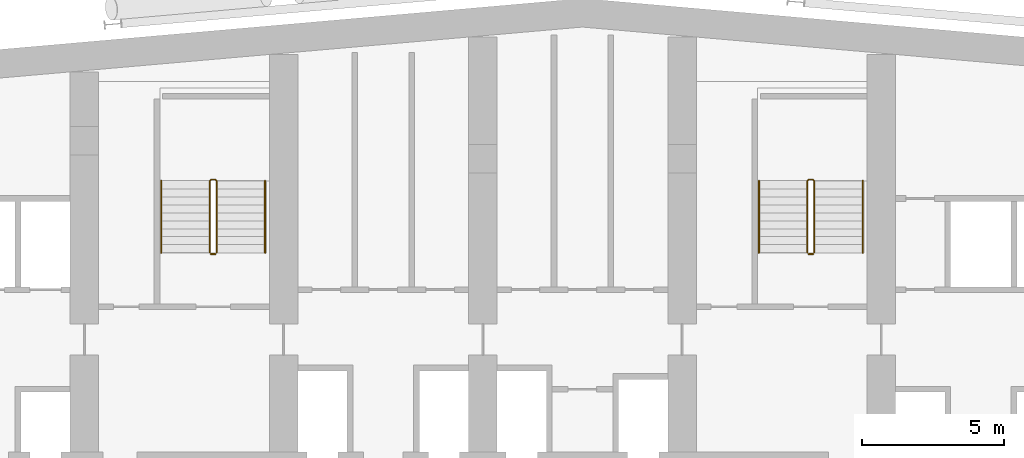
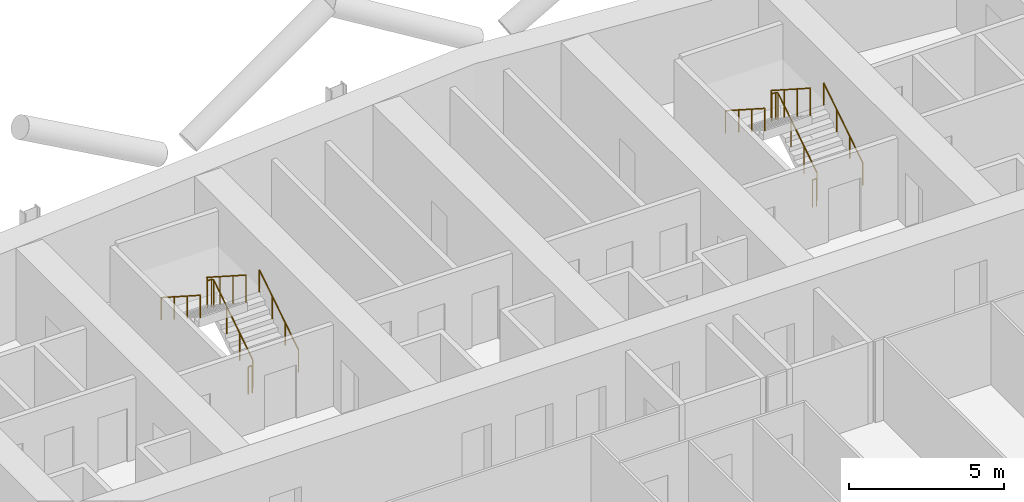
# One storey, part 26 of 27: 8 railings.
"""IFC4 building model written with IfcOpenShell, lengths in metres."""

from ifc_helpers import new_model, si_unit, direction, frame, origin, origin_2d, place, context, subcontext, project, spatial, circle, extrude, material, type_object, element, save


model = new_model("IFC4")

# Units and contexts
model_context = context("Model", 3, precision=1e-05, world=origin(), true_north=direction((0.0, 1.0)))
body_context = subcontext(model_context, "Body", "Model", "MODEL_VIEW")
ifc_project = project(units=[si_unit("LENGTHUNIT", "METRE"), si_unit("AREAUNIT", "SQUARE_METRE"), si_unit("VOLUMEUNIT", "CUBIC_METRE"), si_unit("PLANEANGLEUNIT", "RADIAN"), si_unit("MASSUNIT", "GRAM", prefix="KILO")], contexts=[model_context])

# Site, building, storey
site_placement = place(None, origin())
site = spatial("IfcSite", under=ifc_project, at=site_placement, CompositionType="ELEMENT")
building_placement = place(site_placement, origin())
building = spatial("IfcBuilding", under=site, at=building_placement, Name="Wharfspan Tower", CompositionType="ELEMENT")
storey_placement = place(building_placement, frame((0.0, 0.0, 139.899902)))
storey = spatial("IfcBuildingStorey", under=building, at=storey_placement, Name="L33", CompositionType="ELEMENT", Elevation=139.899902)

# Railings
ifc_material = material(Name="Steel S355J2", Category="steel")
railing_type_1 = type_object("IfcRailingType", Name="Stair guard 1100", PredefinedType="GUARDRAIL", material=ifc_material)
railing_1_placement = place(storey_placement, frame((27.649902, 42.0, 0.180176)))
element("IfcRailing", 1, at=railing_1_placement, inside=storey, type_object=railing_type_1, Name="L33 ST1 stair guard 1", PredefinedType="GUARDRAIL", context=body_context, shape_type="SweptSolid", body=[
    extrude(circle(Radius=0.023926, at=origin_2d()), frame((0.0, 0.0, 1.076172), z_axis=(0.0, 0.8412, 0.540725), x_axis=(-1.0, 0.0, 0.0)), (0.0, 0.0, 1.0), 2.99585),
    extrude(circle(Radius=0.023926, at=origin_2d()), frame((0.0, 2.52002, 2.695801), z_axis=(-0.705376, 0.708834, 0.0), x_axis=(-0.708834, -0.705376, 0.0)), (0.0, 0.0, 1.0), 0.070557),
    extrude(circle(Radius=0.023926, at=origin_2d()), frame((-0.049805, 2.570068, 2.695801), z_axis=(-1.0, 0.0, 0.0), x_axis=(0.0, -1.0, 0.0)), (0.0, 0.0, 1.0), 0.150146),
    extrude(circle(Radius=0.023926, at=origin_2d()), frame((-0.199951, 2.570068, 2.695801), z_axis=(-0.258848, -0.258848, 0.930589), x_axis=(0.707107, -0.707107, 0.0)), (0.0, 0.0, 1.0), 0.193359),
    extrude(circle(Radius=0.023926, at=origin_2d()), frame((-0.25, 2.52002, 2.875977), z_axis=(0.0, -0.841163, 0.540782), x_axis=(1.0, 0.0, 0.0)), (0.0, 0.0, 1.0), 2.99585),
    extrude(circle(Radius=0.020996, at=origin_2d()), origin(), (0.0, 0.0, 1.0), 1.052002),
    extrude(circle(Radius=0.020996, at=origin_2d()), frame((0.0, 0.840088, 0.540039)), (0.0, 0.0, 1.0), 1.052002),
    extrude(circle(Radius=0.020996, at=origin_2d()), frame((0.0, 1.679932, 1.079834)), (0.0, 0.0, 1.0), 1.052002),
    extrude(circle(Radius=0.020996, at=origin_2d()), frame((0.0, 2.52002, 1.619873)), (0.0, 0.0, 1.0), 1.052002),
    extrude(circle(Radius=0.020996, at=origin_2d()), frame((-0.049805, 2.570068, 1.619873)), (0.0, 0.0, 1.0), 1.052002),
    extrude(circle(Radius=0.020996, at=origin_2d()), frame((-0.199951, 2.570068, 1.619873)), (0.0, 0.0, 1.0), 1.052002),
    extrude(circle(Radius=0.020996, at=origin_2d()), frame((-0.25, 2.52002, 1.799805)), (0.0, 0.0, 1.0), 1.052002),
    extrude(circle(Radius=0.020996, at=origin_2d()), frame((-0.25, 1.679932, 2.339844)), (0.0, 0.0, 1.0), 1.052002),
    extrude(circle(Radius=0.020996, at=origin_2d()), frame((-0.25, 0.840088, 2.879883)), (0.0, 0.0, 1.0), 1.052002),
    extrude(circle(Radius=0.020996, at=origin_2d()), frame((-0.25, 0.0, 3.419922)), (0.0, 0.0, 1.0), 1.052002),
])
railing_2_placement = place(storey_placement, frame((27.600098, 41.949951, 0.0)))
element("IfcRailing", 2, at=railing_2_placement, inside=storey, type_object=railing_type_1, Name="L33 ST1 stair guard 2", PredefinedType="GUARDRAIL", context=body_context, shape_type="SweptSolid", body=[
    extrude(circle(Radius=0.023926, at=origin_2d()), frame((0.0, 0.0, 1.076172), z_axis=(-1.0, 0.0, 0.0), x_axis=(0.0, -1.0, 0.0)), (0.0, 0.0, 1.0), 0.150146),
    extrude(circle(Radius=0.020996, at=origin_2d()), origin(), (0.0, 0.0, 1.0), 1.052002),
    extrude(circle(Radius=0.020996, at=origin_2d()), frame((-0.150146, 0.0, 0.0)), (0.0, 0.0, 1.0), 1.052002),
])
railing_3_placement = place(storey_placement, frame((48.649902, 42.0, 0.180176)))
element("IfcRailing", 3, at=railing_3_placement, inside=storey, type_object=railing_type_1, Name="L33 ST2 stair guard 1", PredefinedType="GUARDRAIL", context=body_context, shape_type="SweptSolid", body=[
    extrude(circle(Radius=0.023926, at=origin_2d()), frame((0.0, 0.0, 1.076172), z_axis=(0.0, 0.8412, 0.540725), x_axis=(-1.0, 0.0, 0.0)), (0.0, 0.0, 1.0), 2.99585),
    extrude(circle(Radius=0.023926, at=origin_2d()), frame((0.0, 2.52002, 2.695801), z_axis=(-0.705376, 0.708834, 0.0), x_axis=(-0.708834, -0.705376, 0.0)), (0.0, 0.0, 1.0), 0.070557),
    extrude(circle(Radius=0.023926, at=origin_2d()), frame((-0.049805, 2.570068, 2.695801), z_axis=(-1.0, 0.0, 0.0), x_axis=(0.0, -1.0, 0.0)), (0.0, 0.0, 1.0), 0.150146),
    extrude(circle(Radius=0.023926, at=origin_2d()), frame((-0.199951, 2.570068, 2.695801), z_axis=(-0.258848, -0.258848, 0.930589), x_axis=(0.707107, -0.707107, 0.0)), (0.0, 0.0, 1.0), 0.193359),
    extrude(circle(Radius=0.023926, at=origin_2d()), frame((-0.25, 2.52002, 2.875977), z_axis=(0.0, -0.841163, 0.540782), x_axis=(1.0, 0.0, 0.0)), (0.0, 0.0, 1.0), 2.99585),
    extrude(circle(Radius=0.020996, at=origin_2d()), origin(), (0.0, 0.0, 1.0), 1.052002),
    extrude(circle(Radius=0.020996, at=origin_2d()), frame((0.0, 0.840088, 0.540039)), (0.0, 0.0, 1.0), 1.052002),
    extrude(circle(Radius=0.020996, at=origin_2d()), frame((0.0, 1.679932, 1.079834)), (0.0, 0.0, 1.0), 1.052002),
    extrude(circle(Radius=0.020996, at=origin_2d()), frame((0.0, 2.52002, 1.619873)), (0.0, 0.0, 1.0), 1.052002),
    extrude(circle(Radius=0.020996, at=origin_2d()), frame((-0.049805, 2.570068, 1.619873)), (0.0, 0.0, 1.0), 1.052002),
    extrude(circle(Radius=0.020996, at=origin_2d()), frame((-0.199951, 2.570068, 1.619873)), (0.0, 0.0, 1.0), 1.052002),
    extrude(circle(Radius=0.020996, at=origin_2d()), frame((-0.25, 2.52002, 1.799805)), (0.0, 0.0, 1.0), 1.052002),
    extrude(circle(Radius=0.020996, at=origin_2d()), frame((-0.25, 1.679932, 2.339844)), (0.0, 0.0, 1.0), 1.052002),
    extrude(circle(Radius=0.020996, at=origin_2d()), frame((-0.25, 0.840088, 2.879883)), (0.0, 0.0, 1.0), 1.052002),
    extrude(circle(Radius=0.020996, at=origin_2d()), frame((-0.25, 0.0, 3.419922)), (0.0, 0.0, 1.0), 1.052002),
])
railing_4_placement = place(storey_placement, frame((48.600098, 41.949951, 0.0)))
element("IfcRailing", 4, at=railing_4_placement, inside=storey, type_object=railing_type_1, Name="L33 ST2 stair guard 2", PredefinedType="GUARDRAIL", context=body_context, shape_type="SweptSolid", body=[
    extrude(circle(Radius=0.023926, at=origin_2d()), frame((0.0, 0.0, 1.076172), z_axis=(-1.0, 0.0, 0.0), x_axis=(0.0, -1.0, 0.0)), (0.0, 0.0, 1.0), 0.150146),
    extrude(circle(Radius=0.020996, at=origin_2d()), origin(), (0.0, 0.0, 1.0), 1.052002),
    extrude(circle(Radius=0.020996, at=origin_2d()), frame((-0.150146, 0.0, 0.0)), (0.0, 0.0, 1.0), 1.052002),
])
railing_type_2 = type_object("IfcRailingType", Name="Stair handrail 900", PredefinedType="HANDRAIL", material=ifc_material)
railing_5_placement = place(storey_placement, frame((29.350098, 42.0, 0.180176)))
element("IfcRailing", 5, at=railing_5_placement, inside=storey, type_object=railing_type_2, Name="L33 ST1 stair handrail 1", PredefinedType="HANDRAIL", context=body_context, shape_type="SweptSolid", body=[
    extrude(circle(Radius=0.023926, at=origin_2d()), frame((0.0, 0.0, 0.875977), z_axis=(0.0, 0.8412, 0.540725), x_axis=(-1.0, 0.0, 0.0)), (0.0, 0.0, 1.0), 2.99585),
    extrude(circle(Radius=0.020996, at=origin_2d()), origin(), (0.0, 0.0, 1.0), 0.851807),
    extrude(circle(Radius=0.020996, at=origin_2d()), frame((0.0, 0.840088, 0.540039)), (0.0, 0.0, 1.0), 0.851807),
    extrude(circle(Radius=0.020996, at=origin_2d()), frame((0.0, 1.679932, 1.079834)), (0.0, 0.0, 1.0), 0.851807),
    extrude(circle(Radius=0.020996, at=origin_2d()), frame((0.0, 2.52002, 1.619873)), (0.0, 0.0, 1.0), 0.851807),
])
railing_6_placement = place(storey_placement, frame((25.699951, 44.52002, 1.97998)))
element("IfcRailing", 6, at=railing_6_placement, inside=storey, type_object=railing_type_2, Name="L33 ST1 stair handrail 2", PredefinedType="HANDRAIL", context=body_context, shape_type="SweptSolid", body=[
    extrude(circle(Radius=0.023926, at=origin_2d()), frame((0.0, 0.0, 0.875977), z_axis=(0.0, -0.841163, 0.540782), x_axis=(1.0, 0.0, 0.0)), (0.0, 0.0, 1.0), 2.99585),
    extrude(circle(Radius=0.020996, at=origin_2d()), origin(), (0.0, 0.0, 1.0), 0.851807),
    extrude(circle(Radius=0.020996, at=origin_2d()), frame((0.0, -0.840088, 0.540039)), (0.0, 0.0, 1.0), 0.851807),
    extrude(circle(Radius=0.020996, at=origin_2d()), frame((0.0, -1.679932, 1.080078)), (0.0, 0.0, 1.0), 0.851807),
    extrude(circle(Radius=0.020996, at=origin_2d()), frame((0.0, -2.52002, 1.620117)), (0.0, 0.0, 1.0), 0.851807),
])
railing_7_placement = place(storey_placement, frame((50.350098, 42.0, 0.180176)))
element("IfcRailing", 7, at=railing_7_placement, inside=storey, type_object=railing_type_2, Name="L33 ST2 stair handrail 1", PredefinedType="HANDRAIL", context=body_context, shape_type="SweptSolid", body=[
    extrude(circle(Radius=0.023926, at=origin_2d()), frame((0.0, 0.0, 0.875977), z_axis=(0.0, 0.8412, 0.540725), x_axis=(-1.0, 0.0, 0.0)), (0.0, 0.0, 1.0), 2.99585),
    extrude(circle(Radius=0.020996, at=origin_2d()), origin(), (0.0, 0.0, 1.0), 0.851807),
    extrude(circle(Radius=0.020996, at=origin_2d()), frame((0.0, 0.840088, 0.540039)), (0.0, 0.0, 1.0), 0.851807),
    extrude(circle(Radius=0.020996, at=origin_2d()), frame((0.0, 1.679932, 1.079834)), (0.0, 0.0, 1.0), 0.851807),
    extrude(circle(Radius=0.020996, at=origin_2d()), frame((0.0, 2.52002, 1.619873)), (0.0, 0.0, 1.0), 0.851807),
])
railing_8_placement = place(storey_placement, frame((46.699951, 44.52002, 1.97998)))
element("IfcRailing", 8, at=railing_8_placement, inside=storey, type_object=railing_type_2, Name="L33 ST2 stair handrail 2", PredefinedType="HANDRAIL", context=body_context, shape_type="SweptSolid", body=[
    extrude(circle(Radius=0.023926, at=origin_2d()), frame((0.0, 0.0, 0.875977), z_axis=(0.0, -0.841163, 0.540782), x_axis=(1.0, 0.0, 0.0)), (0.0, 0.0, 1.0), 2.99585),
    extrude(circle(Radius=0.020996, at=origin_2d()), origin(), (0.0, 0.0, 1.0), 0.851807),
    extrude(circle(Radius=0.020996, at=origin_2d()), frame((0.0, -0.840088, 0.540039)), (0.0, 0.0, 1.0), 0.851807),
    extrude(circle(Radius=0.020996, at=origin_2d()), frame((0.0, -1.679932, 1.080078)), (0.0, 0.0, 1.0), 0.851807),
    extrude(circle(Radius=0.020996, at=origin_2d()), frame((0.0, -2.52002, 1.620117)), (0.0, 0.0, 1.0), 0.851807),
])

save(model, "model.ifc")
